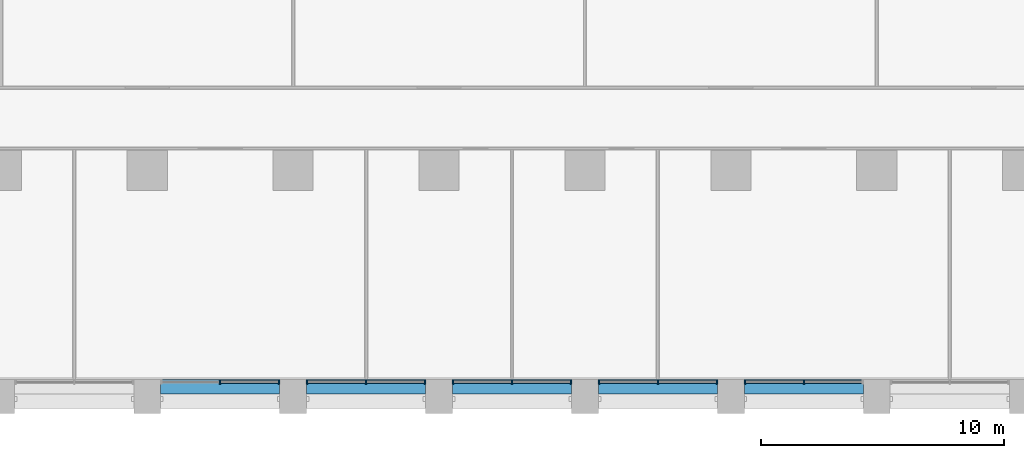
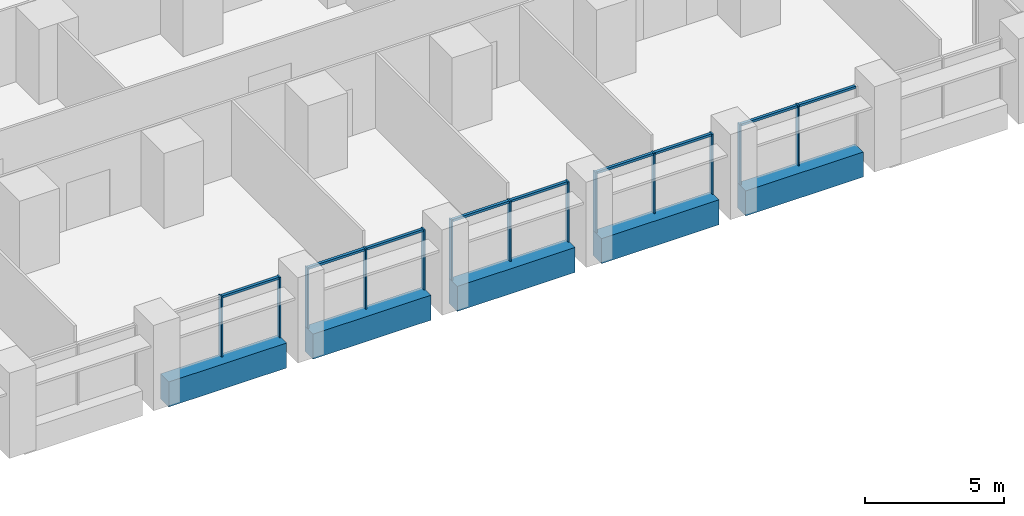
# One storey, part 3 of 18: 22 members, 5 beams, 5 elements without a shape of their own.
"""IFC4 building model written with IfcOpenShell, lengths in metres."""

from ifc_helpers import new_model, si_unit, direction, frame, origin, origin_2d, place, context, subcontext, project, spatial, rectangle, extrude, material, material_profile, profile_set, type_object, element, aggregate, save


model = new_model("IFC4")

# Units and contexts
model_context = context("Model", 3, precision=1e-05, world=origin(), true_north=direction((0.0, 1.0)))
body_context = subcontext(model_context, "Body", "Model", "MODEL_VIEW")
ifc_project = project(units=[si_unit("LENGTHUNIT", "METRE"), si_unit("AREAUNIT", "SQUARE_METRE"), si_unit("VOLUMEUNIT", "CUBIC_METRE"), si_unit("PLANEANGLEUNIT", "RADIAN"), si_unit("MASSUNIT", "GRAM", prefix="KILO")], contexts=[model_context])

# Site, building, storey
site_placement = place(None, origin())
site = spatial("IfcSite", under=ifc_project, at=site_placement, CompositionType="ELEMENT")
building_placement = place(site_placement, origin())
building = spatial("IfcBuilding", under=site, at=building_placement, Name="Calvaro Tower", CompositionType="ELEMENT")
storey_placement = place(building_placement, frame((0.0, 0.0, 60.0)))
storey = spatial("IfcBuildingStorey", under=building, at=storey_placement, Name="L14", CompositionType="ELEMENT", Elevation=60.0)

# Curtain wall, members
ifc_material_1 = material(Name="Anodised aluminium", Category="aluminium")
curtain_wall_type = type_object("IfcCurtainWallType", Name="Office curtain wall, lower zone", PredefinedType="NOTDEFINED", material=ifc_material_1)
curtain_wall_1_placement = place(storey_placement, origin())
curtain_wall_1 = element("IfcCurtainWall", 1, at=curtain_wall_1_placement, inside=storey, type_object=curtain_wall_type, Name="CW1 south curtain wall", PredefinedType="NOTDEFINED")
ifc_material_2 = material(Name="Anodised aluminium", Category="aluminium")
ifc_material_profile_1 = material_profile(ifc_material_2, rectangle(XDim=0.199951171875, YDim=0.06005859375, at=origin_2d()), Name="Mullion S1 60 x 200")
ifc_profile_set_1 = profile_set([ifc_material_profile_1], Name="Anodised aluminium")
member_type_1 = type_object("IfcMemberType", Name="Mullion S1 60 x 200", PredefinedType="MULLION", material=ifc_profile_set_1)
member_1_placement = place(storey_placement, frame((39.0, 1.300048828125, 0.0), z_axis=(0.0, 0.0, 1.0), x_axis=(0.0, 1.0, 0.0)))
member_1 = element("IfcMember", 2, at=member_1_placement, type_object=member_type_1, Name="CW1 mullion 2", PredefinedType="MULLION", context=body_context, shape_type="SweptSolid", body=[
    extrude(rectangle(XDim=0.199951171875, YDim=0.06005859375, at=origin_2d()), origin(), (0.0, 0.0, 1.0), 2.64990234375),
])
member_2_placement = place(storey_placement, frame((41.419921875, 1.300048828125, 0.0), z_axis=(0.0, 0.0, 1.0), x_axis=(0.0, 1.0, 0.0)))
member_2 = element("IfcMember", 3, at=member_2_placement, type_object=member_type_1, Name="CW1 mullion 3", PredefinedType="MULLION", context=body_context, shape_type="SweptSolid", body=[
    extrude(rectangle(XDim=0.199951171875, YDim=0.06005859375, at=origin_2d()), origin(), (0.0, 0.0, 1.0), 2.64990234375),
])

curtain_wall_2_placement = place(storey_placement, origin())
curtain_wall_2 = element("IfcCurtainWall", 4, at=curtain_wall_2_placement, inside=storey, type_object=curtain_wall_type, Name="CW1 south curtain wall", PredefinedType="NOTDEFINED")
member_3_placement = place(storey_placement, frame((42.580078125, 1.300048828125, 0.0), z_axis=(0.0, 0.0, 1.0), x_axis=(0.0, 1.0, 0.0)))
member_3 = element("IfcMember", 5, at=member_3_placement, type_object=member_type_1, Name="CW1 mullion 1", PredefinedType="MULLION", context=body_context, shape_type="SweptSolid", body=[
    extrude(rectangle(XDim=0.199951171875, YDim=0.06005859375, at=origin_2d()), origin(), (0.0, 0.0, 1.0), 2.64990234375),
])
member_4_placement = place(storey_placement, frame((45.0, 1.300048828125, 0.0), z_axis=(0.0, 0.0, 1.0), x_axis=(0.0, 1.0, 0.0)))
member_4 = element("IfcMember", 6, at=member_4_placement, type_object=member_type_1, Name="CW1 mullion 2", PredefinedType="MULLION", context=body_context, shape_type="SweptSolid", body=[
    extrude(rectangle(XDim=0.199951171875, YDim=0.06005859375, at=origin_2d()), origin(), (0.0, 0.0, 1.0), 2.64990234375),
])
member_5_placement = place(storey_placement, frame((47.419921875, 1.300048828125, 0.0), z_axis=(0.0, 0.0, 1.0), x_axis=(0.0, 1.0, 0.0)))
member_5 = element("IfcMember", 7, at=member_5_placement, type_object=member_type_1, Name="CW1 mullion 3", PredefinedType="MULLION", context=body_context, shape_type="SweptSolid", body=[
    extrude(rectangle(XDim=0.199951171875, YDim=0.06005859375, at=origin_2d()), origin(), (0.0, 0.0, 1.0), 2.64990234375),
])

curtain_wall_3_placement = place(storey_placement, origin())
curtain_wall_3 = element("IfcCurtainWall", 8, at=curtain_wall_3_placement, inside=storey, type_object=curtain_wall_type, Name="CW1 south curtain wall", PredefinedType="NOTDEFINED")
member_6_placement = place(storey_placement, frame((48.580078125, 1.300048828125, 0.0), z_axis=(0.0, 0.0, 1.0), x_axis=(0.0, 1.0, 0.0)))
member_6 = element("IfcMember", 9, at=member_6_placement, type_object=member_type_1, Name="CW1 mullion 1", PredefinedType="MULLION", context=body_context, shape_type="SweptSolid", body=[
    extrude(rectangle(XDim=0.199951171875, YDim=0.06005859375, at=origin_2d()), origin(), (0.0, 0.0, 1.0), 2.64990234375),
])
member_7_placement = place(storey_placement, frame((51.0, 1.300048828125, 0.0), z_axis=(0.0, 0.0, 1.0), x_axis=(0.0, 1.0, 0.0)))
member_7 = element("IfcMember", 10, at=member_7_placement, type_object=member_type_1, Name="CW1 mullion 2", PredefinedType="MULLION", context=body_context, shape_type="SweptSolid", body=[
    extrude(rectangle(XDim=0.199951171875, YDim=0.06005859375, at=origin_2d()), origin(), (0.0, 0.0, 1.0), 2.64990234375),
])
member_8_placement = place(storey_placement, frame((53.419921875, 1.300048828125, 0.0), z_axis=(0.0, 0.0, 1.0), x_axis=(0.0, 1.0, 0.0)))
member_8 = element("IfcMember", 11, at=member_8_placement, type_object=member_type_1, Name="CW1 mullion 3", PredefinedType="MULLION", context=body_context, shape_type="SweptSolid", body=[
    extrude(rectangle(XDim=0.199951171875, YDim=0.06005859375, at=origin_2d()), origin(), (0.0, 0.0, 1.0), 2.64990234375),
])

curtain_wall_4_placement = place(storey_placement, origin())
curtain_wall_4 = element("IfcCurtainWall", 12, at=curtain_wall_4_placement, inside=storey, type_object=curtain_wall_type, Name="CW1 south curtain wall", PredefinedType="NOTDEFINED")
member_9_placement = place(storey_placement, frame((54.580078125, 1.300048828125, 0.0), z_axis=(0.0, 0.0, 1.0), x_axis=(0.0, 1.0, 0.0)))
member_9 = element("IfcMember", 13, at=member_9_placement, type_object=member_type_1, Name="CW1 mullion 1", PredefinedType="MULLION", context=body_context, shape_type="SweptSolid", body=[
    extrude(rectangle(XDim=0.199951171875, YDim=0.06005859375, at=origin_2d()), origin(), (0.0, 0.0, 1.0), 2.64990234375),
])
member_10_placement = place(storey_placement, frame((57.0, 1.300048828125, 0.0), z_axis=(0.0, 0.0, 1.0), x_axis=(0.0, 1.0, 0.0)))
member_10 = element("IfcMember", 14, at=member_10_placement, type_object=member_type_1, Name="CW1 mullion 2", PredefinedType="MULLION", context=body_context, shape_type="SweptSolid", body=[
    extrude(rectangle(XDim=0.199951171875, YDim=0.06005859375, at=origin_2d()), origin(), (0.0, 0.0, 1.0), 2.64990234375),
])
member_11_placement = place(storey_placement, frame((59.419921875, 1.300048828125, 0.0), z_axis=(0.0, 0.0, 1.0), x_axis=(0.0, 1.0, 0.0)))
member_11 = element("IfcMember", 15, at=member_11_placement, type_object=member_type_1, Name="CW1 mullion 3", PredefinedType="MULLION", context=body_context, shape_type="SweptSolid", body=[
    extrude(rectangle(XDim=0.199951171875, YDim=0.06005859375, at=origin_2d()), origin(), (0.0, 0.0, 1.0), 2.64990234375),
])

curtain_wall_5_placement = place(storey_placement, origin())
curtain_wall_5 = element("IfcCurtainWall", 16, at=curtain_wall_5_placement, inside=storey, type_object=curtain_wall_type, Name="CW1 south curtain wall", PredefinedType="NOTDEFINED")
member_12_placement = place(storey_placement, frame((60.580078125, 1.300048828125, 0.0), z_axis=(0.0, 0.0, 1.0), x_axis=(0.0, 1.0, 0.0)))
member_12 = element("IfcMember", 17, at=member_12_placement, type_object=member_type_1, Name="CW1 mullion 1", PredefinedType="MULLION", context=body_context, shape_type="SweptSolid", body=[
    extrude(rectangle(XDim=0.199951171875, YDim=0.06005859375, at=origin_2d()), origin(), (0.0, 0.0, 1.0), 2.64990234375),
])
member_13_placement = place(storey_placement, frame((63.0, 1.300048828125, 0.0), z_axis=(0.0, 0.0, 1.0), x_axis=(0.0, 1.0, 0.0)))
member_13 = element("IfcMember", 18, at=member_13_placement, type_object=member_type_1, Name="CW1 mullion 2", PredefinedType="MULLION", context=body_context, shape_type="SweptSolid", body=[
    extrude(rectangle(XDim=0.199951171875, YDim=0.06005859375, at=origin_2d()), origin(), (0.0, 0.0, 1.0), 2.64990234375),
])

# Beams
ifc_material_3 = material(Name="Concrete C50/60 precast", Category="concrete")
ifc_material_profile_2 = material_profile(ifc_material_3, rectangle(XDim=0.60009765625, YDim=1.10009765625, at=origin_2d()), Name="RC 600x1100")
ifc_profile_set_2 = profile_set([ifc_material_profile_2], Name="Concrete C50/60 precast")
beam_type = type_object("IfcBeamType", Name="Spandrel beam 600x1100 C50/60", PredefinedType="SPANDREL", material=ifc_profile_set_2)
for number, where, z_axis, x_axis, name in (
    (19, (36.550048828125, 1.10009765625, -0.550048828125), (1.0, 0.0, 0.0), (0.0, 1.0, 0.0), "Spandrel beam"),
    (20, (42.550048828125, 1.10009765625, -0.550048828125), (1.0, 0.0, 0.0), (0.0, 1.0, 0.0), "Spandrel beam"),
    (21, (48.550048828125, 1.10009765625, -0.550048828125), (1.0, 0.0, 0.0), (0.0, 1.0, 0.0), "Spandrel beam"),
    (22, (54.550048828125, 1.10009765625, -0.550048828125), (1.0, 0.0, 0.0), (0.0, 1.0, 0.0), "Spandrel beam"),
    (23, (60.550048828125, 1.10009765625, -0.550048828125), (1.0, 0.0, 0.0), (0.0, 1.0, 0.0), "Spandrel beam"),
):
    element("IfcBeam", number, at=place(storey_placement, frame(where, z_axis=z_axis, x_axis=x_axis)), inside=storey, type_object=beam_type, Name=name, PredefinedType="SPANDREL", context=body_context, shape_type="SweptSolid", body=[
        extrude(rectangle(XDim=0.60009765625, YDim=1.10009765625, at=origin_2d()), origin(), (0.0, 0.0, 1.0), 4.89990234375),
    ])

# Member
ifc_material_4 = material(Name="Anodised aluminium", Category="aluminium")
ifc_material_profile_3 = material_profile(ifc_material_4, rectangle(XDim=0.1201171875, YDim=0.10009765625, at=origin_2d()), Name="Transom S1 100 x 120")
ifc_profile_set_3 = profile_set([ifc_material_profile_3], Name="Anodised aluminium")
member_type_2 = type_object("IfcMemberType", Name="Transom S1 100 x 120", PredefinedType="USERDEFINED", material=ifc_profile_set_3)
member_14_placement = place(storey_placement, frame((39.030029296875, 1.300048828125, 2.60009765625), z_axis=(1.0, 0.0, 0.0), x_axis=(0.0, 1.0, 0.0)))
member_14 = element("IfcMember", 24, at=member_14_placement, type_object=member_type_2, Name="CW1 transom 2.1", ObjectType="TRANSOM", PredefinedType="USERDEFINED", context=body_context, shape_type="SweptSolid", body=[
    extrude(rectangle(XDim=0.1201171875, YDim=0.10009765625, at=origin_2d()), origin(), (0.0, 0.0, 1.0), 2.35986328125),
])

aggregate(curtain_wall_1, [member_1, member_2, member_14])

member_15_placement = place(storey_placement, frame((42.610107421875, 1.300048828125, 2.60009765625), z_axis=(1.0, 0.0, 0.0), x_axis=(0.0, 1.0, 0.0)))
member_15 = element("IfcMember", 25, at=member_15_placement, type_object=member_type_2, Name="CW1 transom 1.1", ObjectType="TRANSOM", PredefinedType="USERDEFINED", context=body_context, shape_type="SweptSolid", body=[
    extrude(rectangle(XDim=0.1201171875, YDim=0.10009765625, at=origin_2d()), origin(), (0.0, 0.0, 1.0), 2.35986328125),
])

member_16_placement = place(storey_placement, frame((45.030029296875, 1.300048828125, 2.60009765625), z_axis=(1.0, 0.0, 0.0), x_axis=(0.0, 1.0, 0.0)))
member_16 = element("IfcMember", 26, at=member_16_placement, type_object=member_type_2, Name="CW1 transom 2.1", ObjectType="TRANSOM", PredefinedType="USERDEFINED", context=body_context, shape_type="SweptSolid", body=[
    extrude(rectangle(XDim=0.1201171875, YDim=0.10009765625, at=origin_2d()), origin(), (0.0, 0.0, 1.0), 2.35986328125),
])

aggregate(curtain_wall_2, [member_3, member_4, member_5, member_15, member_16])

member_17_placement = place(storey_placement, frame((48.610107421875, 1.300048828125, 2.60009765625), z_axis=(1.0, 0.0, 0.0), x_axis=(0.0, 1.0, 0.0)))
member_17 = element("IfcMember", 27, at=member_17_placement, type_object=member_type_2, Name="CW1 transom 1.1", ObjectType="TRANSOM", PredefinedType="USERDEFINED", context=body_context, shape_type="SweptSolid", body=[
    extrude(rectangle(XDim=0.1201171875, YDim=0.10009765625, at=origin_2d()), origin(), (0.0, 0.0, 1.0), 2.35986328125),
])

member_18_placement = place(storey_placement, frame((51.030029296875, 1.300048828125, 2.60009765625), z_axis=(1.0, 0.0, 0.0), x_axis=(0.0, 1.0, 0.0)))
member_18 = element("IfcMember", 28, at=member_18_placement, type_object=member_type_2, Name="CW1 transom 2.1", ObjectType="TRANSOM", PredefinedType="USERDEFINED", context=body_context, shape_type="SweptSolid", body=[
    extrude(rectangle(XDim=0.1201171875, YDim=0.10009765625, at=origin_2d()), origin(), (0.0, 0.0, 1.0), 2.35986328125),
])

aggregate(curtain_wall_3, [member_6, member_7, member_8, member_17, member_18])

member_19_placement = place(storey_placement, frame((54.610107421875, 1.300048828125, 2.60009765625), z_axis=(1.0, 0.0, 0.0), x_axis=(0.0, 1.0, 0.0)))
member_19 = element("IfcMember", 29, at=member_19_placement, type_object=member_type_2, Name="CW1 transom 1.1", ObjectType="TRANSOM", PredefinedType="USERDEFINED", context=body_context, shape_type="SweptSolid", body=[
    extrude(rectangle(XDim=0.1201171875, YDim=0.10009765625, at=origin_2d()), origin(), (0.0, 0.0, 1.0), 2.35986328125),
])

member_20_placement = place(storey_placement, frame((57.030029296875, 1.300048828125, 2.60009765625), z_axis=(1.0, 0.0, 0.0), x_axis=(0.0, 1.0, 0.0)))
member_20 = element("IfcMember", 30, at=member_20_placement, type_object=member_type_2, Name="CW1 transom 2.1", ObjectType="TRANSOM", PredefinedType="USERDEFINED", context=body_context, shape_type="SweptSolid", body=[
    extrude(rectangle(XDim=0.1201171875, YDim=0.10009765625, at=origin_2d()), origin(), (0.0, 0.0, 1.0), 2.35986328125),
])

aggregate(curtain_wall_4, [member_9, member_10, member_11, member_19, member_20])

member_21_placement = place(storey_placement, frame((60.610107421875, 1.300048828125, 2.60009765625), z_axis=(1.0, 0.0, 0.0), x_axis=(0.0, 1.0, 0.0)))
member_21 = element("IfcMember", 31, at=member_21_placement, type_object=member_type_2, Name="CW1 transom 1.1", ObjectType="TRANSOM", PredefinedType="USERDEFINED", context=body_context, shape_type="SweptSolid", body=[
    extrude(rectangle(XDim=0.1201171875, YDim=0.10009765625, at=origin_2d()), origin(), (0.0, 0.0, 1.0), 2.35986328125),
])

member_22_placement = place(storey_placement, frame((63.030029296875, 1.300048828125, 2.60009765625), z_axis=(1.0, 0.0, 0.0), x_axis=(0.0, 1.0, 0.0)))
member_22 = element("IfcMember", 32, at=member_22_placement, type_object=member_type_2, Name="CW1 transom 2.1", ObjectType="TRANSOM", PredefinedType="USERDEFINED", context=body_context, shape_type="SweptSolid", body=[
    extrude(rectangle(XDim=0.1201171875, YDim=0.10009765625, at=origin_2d()), origin(), (0.0, 0.0, 1.0), 2.35986328125),
])

aggregate(curtain_wall_5, [member_12, member_13, member_21, member_22])

save(model, "model.ifc")
